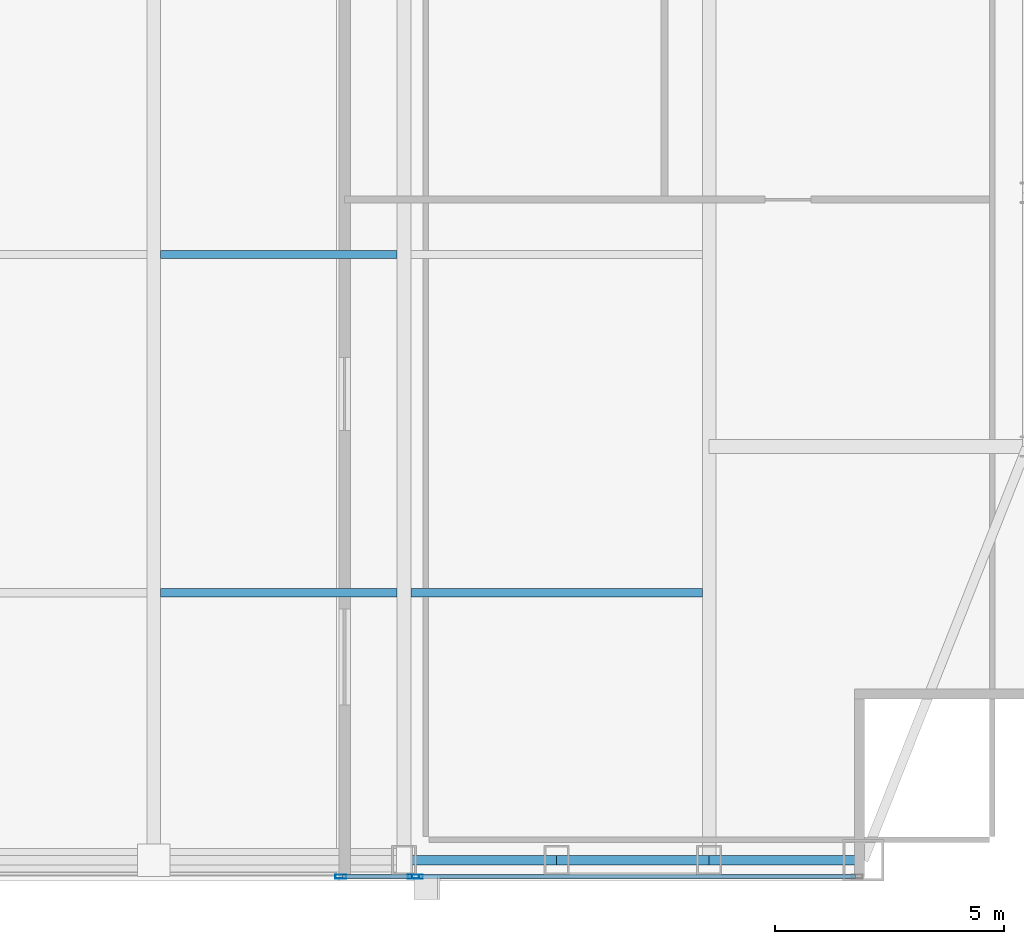
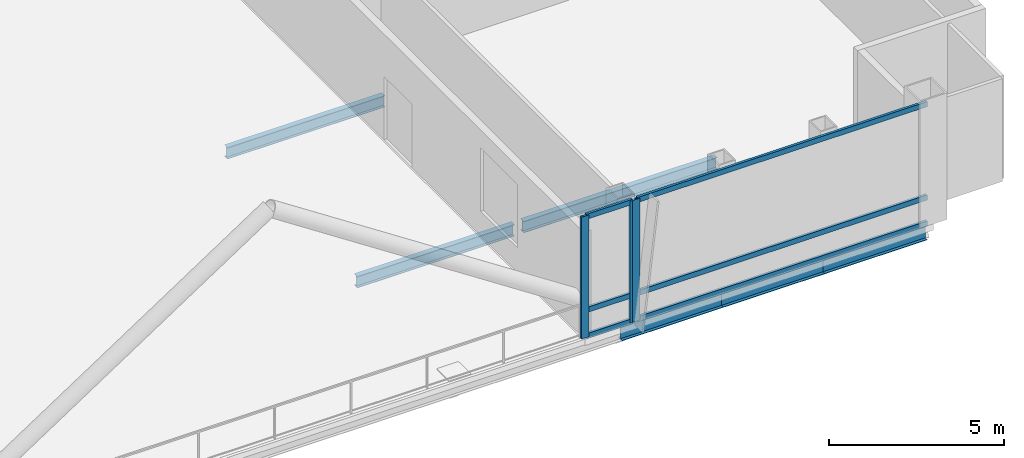
# One storey, part 12 of 27: 9 members, 6 beams, 2 elements without a shape of their own.
"""IFC4 building model written with IfcOpenShell, lengths in metres."""

from ifc_helpers import new_model, si_unit, direction, frame, origin, origin_2d, place, context, subcontext, project, spatial, hollow_rectangle, i_section, extrude, material, material_profile, profile_set, type_object, element, aggregate, save


model = new_model("IFC4")

# Units and contexts
model_context = context("Model", 3, precision=1e-05, world=origin(), true_north=direction((0.0, 1.0)))
body_context = subcontext(model_context, "Body", "Model", "MODEL_VIEW")
ifc_project = project(units=[si_unit("LENGTHUNIT", "METRE"), si_unit("AREAUNIT", "SQUARE_METRE"), si_unit("VOLUMEUNIT", "CUBIC_METRE"), si_unit("PLANEANGLEUNIT", "RADIAN"), si_unit("MASSUNIT", "GRAM", prefix="KILO")], contexts=[model_context])

# Site, building, storey
site_placement = place(None, origin())
site = spatial("IfcSite", under=ifc_project, at=site_placement, CompositionType="ELEMENT")
building_placement = place(site_placement, origin())
building = spatial("IfcBuilding", under=site, at=building_placement, Name="Khoronbel Lancet Exchange", CompositionType="ELEMENT")
storey_placement = place(building_placement, frame((0.0, 0.0, 305.800048828125)))
storey = spatial("IfcBuildingStorey", under=building, at=storey_placement, Name="L79", CompositionType="ELEMENT", Elevation=305.800048828125)

# Beams
ifc_material_1 = material(Name="Steel S355", Category="steel")
ifc_material_profile_1 = material_profile(ifc_material_1, i_section(OverallWidth=0.179931640625, OverallDepth=0.39990234375, WebThickness=0.008544921875, FlangeThickness=0.013427734375, at=origin_2d()), Name="IPE 400")
ifc_profile_set_1 = profile_set([ifc_material_profile_1], Name="Steel S355")
beam_type_1 = type_object("IfcBeamType", Name="BM-BJ5", PredefinedType="JOIST", material=ifc_profile_set_1)
beam_1_placement = place(storey_placement, frame((42.675048828125, 16.0, -0.420166015625), z_axis=(1.0, 0.0, 0.0), x_axis=(0.0, 1.0, 0.0)))
element("IfcBeam", 1, at=beam_1_placement, inside=storey, type_object=beam_type_1, Name="Level L79 secondary composite joist J04", PredefinedType="JOIST", context=body_context, shape_type="SweptSolid", body=[
    extrude(i_section(OverallWidth=0.179931640625, OverallDepth=0.39990234375, WebThickness=0.008544921875, FlangeThickness=0.013427734375, at=origin_2d()), origin(), (0.0, 0.0, 1.0), 5.175048828125),
])
beam_2_placement = place(storey_placement, frame((48.14990234375, 16.0, -0.420166015625), z_axis=(1.0, 0.0, 0.0), x_axis=(0.0, 1.0, 0.0)))
element("IfcBeam", 2, at=beam_2_placement, inside=storey, type_object=beam_type_1, Name="Level L79 secondary composite joist J05", PredefinedType="JOIST", context=body_context, shape_type="SweptSolid", body=[
    extrude(i_section(OverallWidth=0.179931640625, OverallDepth=0.39990234375, WebThickness=0.008544921875, FlangeThickness=0.013427734375, at=origin_2d()), origin(), (0.0, 0.0, 1.0), 6.375),
])
beam_3_placement = place(storey_placement, frame((42.675048828125, 23.39990234375, -0.420166015625), z_axis=(1.0, 0.0, 0.0), x_axis=(0.0, 1.0, 0.0)))
element("IfcBeam", 3, at=beam_3_placement, inside=storey, type_object=beam_type_1, Name="Level L79 secondary composite joist J09", PredefinedType="JOIST", context=body_context, shape_type="SweptSolid", body=[
    extrude(i_section(OverallWidth=0.179931640625, OverallDepth=0.39990234375, WebThickness=0.008544921875, FlangeThickness=0.013427734375, at=origin_2d()), origin(), (0.0, 0.0, 1.0), 5.175048828125),
])
ifc_material_profile_2 = material_profile(ifc_material_1, i_section(OverallWidth=0.2099609375, OverallDepth=0.550048828125, WebThickness=0.010986328125, FlangeThickness=0.01708984375, at=origin_2d()), Name="IPE 550")
ifc_profile_set_2 = profile_set([ifc_material_profile_2], Name="Steel S355")
beam_type_2 = type_object("IfcBeamType", Name="BM-BSP3", PredefinedType="SPANDREL", material=ifc_profile_set_2)
beam_4_placement = place(storey_placement, frame((48.0, 10.14990234375, -0.4951171875), z_axis=(1.0, 0.0, 0.0), x_axis=(0.0, 1.0, 0.0)))
element("IfcBeam", 4, at=beam_4_placement, inside=storey, type_object=beam_type_2, Name="Level L79 perimeter spandrel beam SP05", PredefinedType="SPANDREL", context=body_context, shape_type="SweptSolid", body=[
    extrude(i_section(OverallWidth=0.2099609375, OverallDepth=0.550048828125, WebThickness=0.010986328125, FlangeThickness=0.01708984375, at=origin_2d()), origin(), (0.0, 0.0, 1.0), 3.33740234375),
])
beam_5_placement = place(storey_placement, frame((51.33740234375, 10.14990234375, -0.4951171875), z_axis=(1.0, 0.0, 0.0), x_axis=(0.0, 1.0, 0.0)))
element("IfcBeam", 5, at=beam_5_placement, inside=storey, type_object=beam_type_2, Name="Level L79 perimeter spandrel beam SP06", PredefinedType="SPANDREL", context=body_context, shape_type="SweptSolid", body=[
    extrude(i_section(OverallWidth=0.2099609375, OverallDepth=0.550048828125, WebThickness=0.010986328125, FlangeThickness=0.01708984375, at=origin_2d()), origin(), (0.0, 0.0, 1.0), 3.337646484375),
])
beam_6_placement = place(storey_placement, frame((54.675048828125, 10.14990234375, -0.4951171875), z_axis=(1.0, 0.0, 0.0), x_axis=(0.0, 1.0, 0.0)))
element("IfcBeam", 6, at=beam_6_placement, inside=storey, type_object=beam_type_2, Name="Level L79 perimeter spandrel beam SP07", PredefinedType="SPANDREL", context=body_context, shape_type="SweptSolid", body=[
    extrude(i_section(OverallWidth=0.2099609375, OverallDepth=0.550048828125, WebThickness=0.010986328125, FlangeThickness=0.01708984375, at=origin_2d()), origin(), (0.0, 0.0, 1.0), 3.375),
])

# Curtain wall, members
ifc_material_2 = material(Name="Low-E Solar Control Insulating Glass", Category="glass")
curtain_wall_type = type_object("IfcCurtainWallType", Name="CW-3", PredefinedType="NOTDEFINED", material=ifc_material_2)
curtain_wall_1_placement = place(storey_placement, origin())
curtain_wall_1 = element("IfcCurtainWall", 7, at=curtain_wall_1_placement, inside=storey, type_object=curtain_wall_type, Name="Unitised curtain wall CW-L79-SE-PIER", PredefinedType="NOTDEFINED")
ifc_material_3 = material(Name="Bronze-Anodised Aluminium 6063-T6", Category="aluminium")
ifc_material_profile_3 = material_profile(ifc_material_3, hollow_rectangle(XDim=0.0849609375, YDim=0.239990234375, WallThickness=0.006103515625, at=origin_2d()), Name="ALU MULLION 85x240")
ifc_profile_set_3 = profile_set([ifc_material_profile_3], Name="Bronze-Anodised Aluminium 6063-T6")
member_type_1 = type_object("IfcMemberType", Name="MEM-CWM1", PredefinedType="MULLION", material=ifc_profile_set_3)
member_1_placement = place(storey_placement, frame((46.617431640625, 9.7900390625, 0.0), z_axis=(0.0, 0.0, 1.0), x_axis=(0.0, 1.0, 0.0)))
member_1 = element("IfcMember", 8, at=member_1_placement, type_object=member_type_1, Name="CW3 mullion 1", PredefinedType="MULLION", context=body_context, shape_type="SweptSolid", body=[
    extrude(hollow_rectangle(XDim=0.0849609375, YDim=0.239990234375, WallThickness=0.006103515625, at=origin_2d()), origin(), (0.0, 0.0, 1.0), 4.239990234375),
])
member_2_placement = place(storey_placement, frame((48.20751953125, 9.7900390625, 0.0), z_axis=(0.0, 0.0, 1.0), x_axis=(0.0, 1.0, 0.0)))
member_2 = element("IfcMember", 9, at=member_2_placement, type_object=member_type_1, Name="CW3 mullion 2", PredefinedType="MULLION", context=body_context, shape_type="SweptSolid", body=[
    extrude(hollow_rectangle(XDim=0.0849609375, YDim=0.239990234375, WallThickness=0.006103515625, at=origin_2d()), origin(), (0.0, 0.0, 1.0), 4.239990234375),
])

# Curtain wall, member
curtain_wall_2_placement = place(storey_placement, origin())
curtain_wall_2 = element("IfcCurtainWall", 10, at=curtain_wall_2_placement, inside=storey, type_object=curtain_wall_type, Name="Unitised curtain wall CW-L79-SE-WING", PredefinedType="NOTDEFINED")
member_3_placement = place(storey_placement, frame((48.29248046875, 9.7900390625, 0.0), z_axis=(0.0, 0.0, 1.0), x_axis=(0.0, 1.0, 0.0)))
member_3 = element("IfcMember", 11, at=member_3_placement, type_object=member_type_1, Name="CW3 mullion 1", PredefinedType="MULLION", context=body_context, shape_type="SweptSolid", body=[
    extrude(hollow_rectangle(XDim=0.0849609375, YDim=0.239990234375, WallThickness=0.006103515625, at=origin_2d()), origin(), (0.0, 0.0, 1.0), 4.239990234375),
])

# Member
ifc_material_profile_4 = material_profile(ifc_material_3, hollow_rectangle(XDim=0.0849609375, YDim=0.179931640625, WallThickness=0.0048828125, at=origin_2d()), Name="ALU TRANSOM 85x180")
ifc_profile_set_4 = profile_set([ifc_material_profile_4], Name="Bronze-Anodised Aluminium 6063-T6")
member_type_2 = type_object("IfcMemberType", Name="MEM-CWT1", PredefinedType="USERDEFINED", material=ifc_profile_set_4)
member_4_placement = place(storey_placement, frame((46.659912109375, 9.7900390625, 0.04248046875), z_axis=(1.0, 0.0, 0.0), x_axis=(0.0, 1.0, 0.0)))
member_4 = element("IfcMember", 12, at=member_4_placement, type_object=member_type_2, Name="CW3 transom 1.1", ObjectType="TRANSOM", PredefinedType="USERDEFINED", context=body_context, shape_type="SweptSolid", body=[
    extrude(hollow_rectangle(XDim=0.0849609375, YDim=0.179931640625, WallThickness=0.0048828125, at=origin_2d()), origin(), (0.0, 0.0, 1.0), 1.505126953125),
])

member_5_placement = place(storey_placement, frame((46.659912109375, 9.7900390625, 0.949951171875), z_axis=(1.0, 0.0, 0.0), x_axis=(0.0, 1.0, 0.0)))
member_5 = element("IfcMember", 13, at=member_5_placement, type_object=member_type_2, Name="CW3 transom 1.2", ObjectType="TRANSOM", PredefinedType="USERDEFINED", context=body_context, shape_type="SweptSolid", body=[
    extrude(hollow_rectangle(XDim=0.0849609375, YDim=0.179931640625, WallThickness=0.0048828125, at=origin_2d()), origin(), (0.0, 0.0, 1.0), 1.505126953125),
])

member_6_placement = place(storey_placement, frame((46.659912109375, 9.7900390625, 4.197509765625), z_axis=(1.0, 0.0, 0.0), x_axis=(0.0, 1.0, 0.0)))
member_6 = element("IfcMember", 14, at=member_6_placement, type_object=member_type_2, Name="CW3 transom 1.3", ObjectType="TRANSOM", PredefinedType="USERDEFINED", context=body_context, shape_type="SweptSolid", body=[
    extrude(hollow_rectangle(XDim=0.0849609375, YDim=0.179931640625, WallThickness=0.0048828125, at=origin_2d()), origin(), (0.0, 0.0, 1.0), 1.505126953125),
])

aggregate(curtain_wall_1, [member_1, member_2, member_4, member_5, member_6])

member_7_placement = place(storey_placement, frame((48.3349609375, 9.7900390625, 0.04248046875), z_axis=(1.0, 0.0, 0.0), x_axis=(0.0, 1.0, 0.0)))
member_7 = element("IfcMember", 15, at=member_7_placement, type_object=member_type_2, Name="CW3 transom 1.1", ObjectType="TRANSOM", PredefinedType="USERDEFINED", context=body_context, shape_type="SweptSolid", body=[
    extrude(hollow_rectangle(XDim=0.0849609375, YDim=0.179931640625, WallThickness=0.0048828125, at=origin_2d()), origin(), (0.0, 0.0, 1.0), 9.5400390625),
])

member_8_placement = place(storey_placement, frame((48.3349609375, 9.7900390625, 0.949951171875), z_axis=(1.0, 0.0, 0.0), x_axis=(0.0, 1.0, 0.0)))
member_8 = element("IfcMember", 16, at=member_8_placement, type_object=member_type_2, Name="CW3 transom 1.2", ObjectType="TRANSOM", PredefinedType="USERDEFINED", context=body_context, shape_type="SweptSolid", body=[
    extrude(hollow_rectangle(XDim=0.0849609375, YDim=0.179931640625, WallThickness=0.0048828125, at=origin_2d()), origin(), (0.0, 0.0, 1.0), 9.5400390625),
])

member_9_placement = place(storey_placement, frame((48.3349609375, 9.7900390625, 4.197509765625), z_axis=(1.0, 0.0, 0.0), x_axis=(0.0, 1.0, 0.0)))
member_9 = element("IfcMember", 17, at=member_9_placement, type_object=member_type_2, Name="CW3 transom 1.3", ObjectType="TRANSOM", PredefinedType="USERDEFINED", context=body_context, shape_type="SweptSolid", body=[
    extrude(hollow_rectangle(XDim=0.0849609375, YDim=0.179931640625, WallThickness=0.0048828125, at=origin_2d()), origin(), (0.0, 0.0, 1.0), 9.5400390625),
])

aggregate(curtain_wall_2, [member_3, member_7, member_8, member_9])

save(model, "model.ifc")
